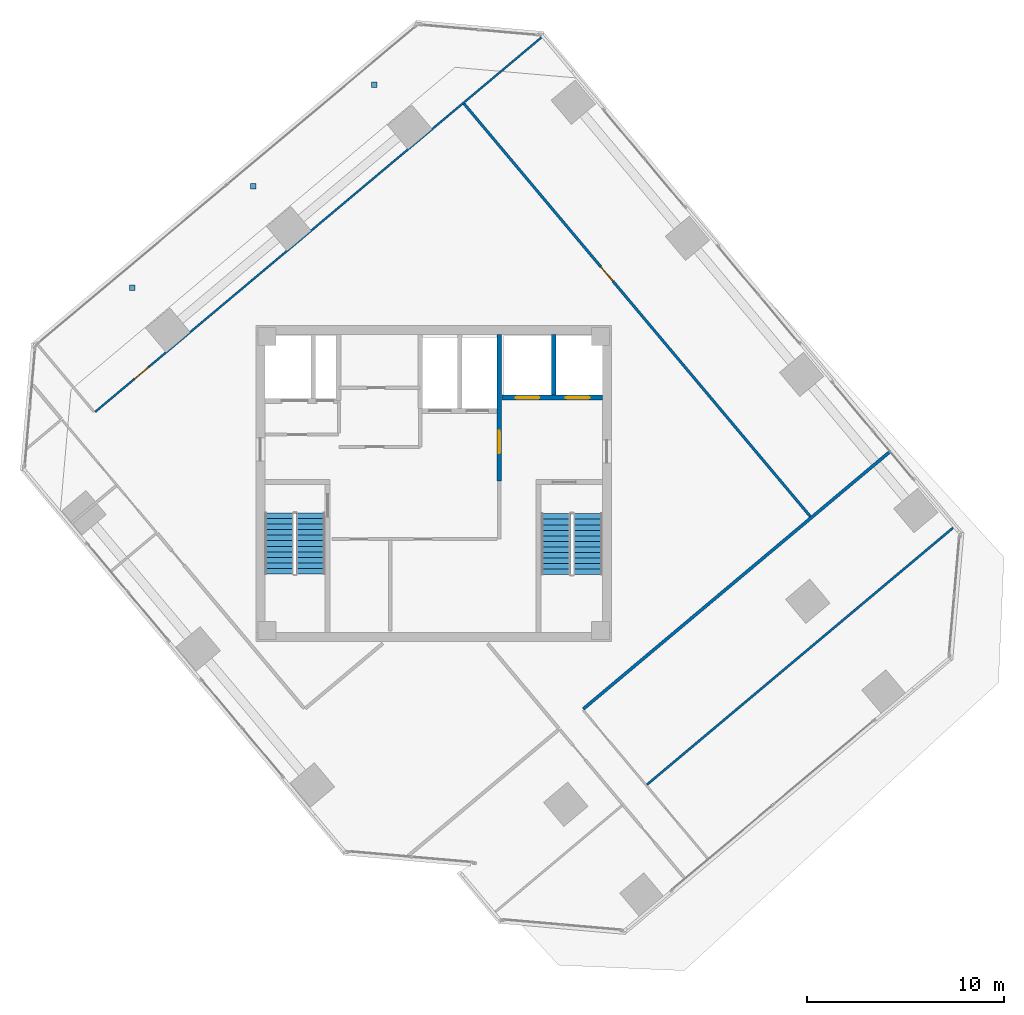
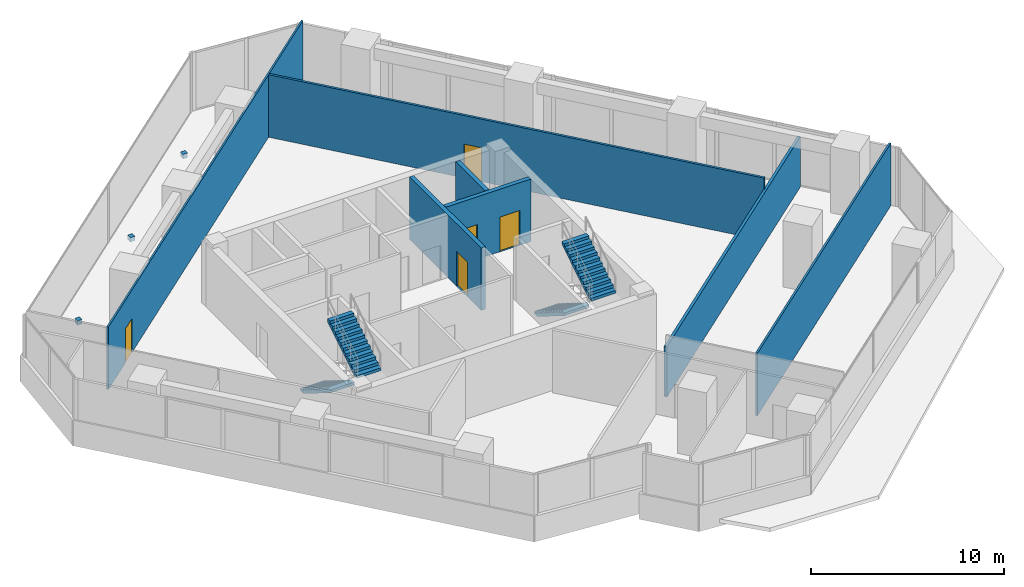
# One storey, part 14 of 17: 7 walls, 5 doors, 4 stair flights, 3 discrete accessories, 5 openings, 2 elements without a shape of their own.
"""IFC4 building model written with IfcOpenShell, lengths in metres."""

from ifc_helpers import new_model, si_unit, direction, frame, frame_2d, origin, origin_2d, place, context, subcontext, project, spatial, polyline, rectangle, outline, extrude, source, transform, mapped, material, layer, layer_set, type_object, element, fill, aggregate, save


model = new_model("IFC4")

# Units and contexts
model_context = context("Model", 3, precision=1e-05, world=origin(), true_north=direction((0.0, 1.0)))
body_context = subcontext(model_context, "Body", "Model", "MODEL_VIEW")
ifc_project = project(units=[si_unit("LENGTHUNIT", "METRE"), si_unit("AREAUNIT", "SQUARE_METRE"), si_unit("VOLUMEUNIT", "CUBIC_METRE"), si_unit("PLANEANGLEUNIT", "RADIAN"), si_unit("MASSUNIT", "GRAM", prefix="KILO")], contexts=[model_context])

# Site, building, storey
site_placement = place(None, origin())
site = spatial("IfcSite", under=ifc_project, at=site_placement, CompositionType="ELEMENT")
building_placement = place(site_placement, origin())
building = spatial("IfcBuilding", under=site, at=building_placement, Name="Torre Montelarca", CompositionType="ELEMENT")
storey_placement = place(building_placement, frame((0.0, 0.0, 266.800048828125)))
storey = spatial("IfcBuildingStorey", under=building, at=storey_placement, Name="L60", CompositionType="ELEMENT", Elevation=266.800048828125)

# Wall, opening, door
ifc_material_1 = material(Name="Concrete C40/50", Category="concrete")
ifc_layer_1 = layer(ifc_material_1, 0.25, Name="Concrete C40/50", Category="concrete")
ifc_layer_set_1 = layer_set([ifc_layer_1], Name="Concrete C40/50")
wall_type_1 = type_object("IfcWallType", Name="CW-SHAFT-250", PredefinedType="SHEAR", material=ifc_layer_set_1)
wall_1_placement = place(storey_placement, frame((21.320068359375, 32.1201171875, 0.0), z_axis=(0.0, 0.0, 1.0), x_axis=(0.0, 1.0, 0.0)))
wall_1 = element("IfcWall", 1, at=wall_1_placement, inside=storey, type_object=wall_type_1, Name="L60 Core Shear Wall SH-FFL-W", PredefinedType="SHEAR", context=body_context, shape_type="SweptSolid", body=[
    extrude(rectangle(XDim=7.419921875, YDim=0.25, at=frame_2d((3.7099609375, 0.0))), origin(), (0.0, 0.0, 1.0), 3.9599609375),
])
opening_1_placement = place(wall_1_placement, frame((1.39990234375, 0.0, 0.0)))
opening_1 = element("IfcOpeningElement", 2, at=opening_1_placement, cuts=wall_1, Name="Opening FD-LB1", PredefinedType="OPENING", context=body_context, shape_type="SweptSolid", body=[
    extrude(rectangle(XDim=1.14990234375, YDim=2.199951171875, at=frame_2d((0.574951171875, 1.10009765625))), frame((0.0, 0.135009765625, 0.0), z_axis=(0.0, -1.0, 0.0), x_axis=(1.0, 0.0, 0.0)), (0.0, 0.0, 1.0), 0.27001953125),
])
ifc_material_2 = material(Name="Acoustic timber-veneered fire door", Category="wood")
door_type_1 = type_object("IfcDoorType", Name="DR-LOBBY-115", OperationType="NOTDEFINED", PredefinedType="DOOR", material=ifc_material_2)
shared_shape_1 = source(origin(), body_context, "Body", "SweptSolid", [
    extrude(rectangle(XDim=1.14990234375, YDim=2.199951171875, at=frame_2d((0.574951171875, 1.10009765625))), frame((0.0, 0.02490234375, 0.0), z_axis=(0.0, -1.0, 0.0), x_axis=(1.0, 0.0, 0.0)), (0.0, 0.0, 1.0), 0.050048828125),
])
door_1_placement = place(opening_1_placement, origin())
door_1 = element("IfcDoor", 3, at=door_1_placement, inside=storey, type_object=door_type_1, Name="L60 Lift Lobby to Firefighting Lobby Smoke Door", OperationType="SINGLE_SWING_LEFT", OverallHeight=2.199951171875, OverallWidth=1.14990234375, PredefinedType="DOOR", context=body_context, shape_type="MappedRepresentation", body=[
    mapped(shared_shape_1, transform((0.0, 0.0, 0.0), scale=1.0)),
])
fill(opening_1, door_1)

# Wall, openings, doors
wall_2_placement = place(storey_placement, frame((21.449951171875, 36.35009765625, 0.0), z_axis=(0.0, 0.0, 1.0), x_axis=(1.0, 0.0, 0.0)))
wall_2 = element("IfcWall", 4, at=wall_2_placement, inside=storey, type_object=wall_type_1, Name="L60 Core Shear Wall SH-FF-S", PredefinedType="SHEAR", context=body_context, shape_type="SweptSolid", body=[
    extrude(rectangle(XDim=5.090087890625, YDim=0.25, at=frame_2d((2.544921875, 0.0))), origin(), (0.0, 0.0, 1.0), 3.9599609375),
])
opening_2_placement = place(wall_2_placement, frame((0.699951171875, 0.0, 0.0)))
opening_2 = element("IfcOpeningElement", 5, at=opening_2_placement, cuts=wall_2, Name="Opening LD-120", PredefinedType="OPENING", context=body_context, shape_type="SweptSolid", body=[
    extrude(rectangle(XDim=1.199951171875, YDim=2.199951171875, at=frame_2d((0.60009765625, 1.10009765625))), frame((0.0, 0.135009765625, 0.0), z_axis=(0.0, -1.0, 0.0), x_axis=(1.0, 0.0, 0.0)), (0.0, 0.0, 1.0), 0.27001953125),
])
opening_3_placement = place(wall_2_placement, frame((3.25, 0.0, 0.0)))
opening_3 = element("IfcOpeningElement", 6, at=opening_3_placement, cuts=wall_2, Name="Opening LD-120", PredefinedType="OPENING", context=body_context, shape_type="SweptSolid", body=[
    extrude(rectangle(XDim=1.199951171875, YDim=2.199951171875, at=frame_2d((0.60009765625, 1.10009765625))), frame((0.0, 0.135009765625, 0.0), z_axis=(0.0, -1.0, 0.0), x_axis=(1.0, 0.0, 0.0)), (0.0, 0.0, 1.0), 0.27001953125),
])
ifc_material_3 = material(Name="Brushed stainless steel AISI 316", Category="steel")
door_type_2 = type_object("IfcDoorType", Name="DR-LIFT-120", OperationType="SLIDING_TO_RIGHT", PredefinedType="DOOR", material=ifc_material_3)
shared_shape_2 = source(origin(), body_context, "Body", "SweptSolid", [
    extrude(rectangle(XDim=1.199951171875, YDim=2.199951171875, at=frame_2d((0.60009765625, 1.10009765625))), frame((0.0, 0.02490234375, 0.0), z_axis=(0.0, -1.0, 0.0), x_axis=(1.0, 0.0, 0.0)), (0.0, 0.0, 1.0), 0.050048828125),
])
door_2_placement = place(opening_2_placement, origin())
door_2 = element("IfcDoor", 7, at=door_2_placement, inside=storey, type_object=door_type_2, Name="L60 Lift Landing Sliding Door FF-1", OperationType="SLIDING_TO_LEFT", OverallHeight=2.199951171875, OverallWidth=1.199951171875, PredefinedType="DOOR", context=body_context, shape_type="MappedRepresentation", body=[
    mapped(shared_shape_2, transform((0.0, 0.0, 0.0), scale=1.0)),
])
fill(opening_2, door_2)
door_3_placement = place(opening_3_placement, origin())
door_3 = element("IfcDoor", 8, at=door_3_placement, inside=storey, type_object=door_type_2, Name="L60 Lift Landing Sliding Door FF-2", OperationType="SLIDING_TO_RIGHT", OverallHeight=2.199951171875, OverallWidth=1.199951171875, PredefinedType="DOOR", context=body_context, shape_type="MappedRepresentation", body=[
    mapped(shared_shape_2, transform((0.0, 0.0, 0.0), scale=1.0)),
])
fill(opening_3, door_3)

# Walls
wall_3_placement = place(storey_placement, frame((24.080078125, 36.47998046875, 0.0), z_axis=(0.0, 0.0, 1.0), x_axis=(0.0, 1.0, 0.0)))
element("IfcWall", 9, at=wall_3_placement, inside=storey, type_object=wall_type_1, Name="L60 Core Shear Wall SH-FF-M", PredefinedType="SHEAR", context=body_context, shape_type="SweptSolid", body=[
    extrude(rectangle(XDim=3.06005859375, YDim=0.25, at=frame_2d((1.530029296875, 0.0))), origin(), (0.0, 0.0, 1.0), 3.9599609375),
])
ifc_material_4 = material(Name="Gypsum plasterboard on steel stud", Category="steel")
ifc_layer_2 = layer(ifc_material_4, 0.159912109375, Name="Gypsum plasterboard on steel stud", Category="steel")
ifc_layer_set_2 = layer_set([ifc_layer_2], Name="Gypsum plasterboard on steel stud")
wall_type_2 = type_object("IfcWallType", Name="PW-FIRE-160", PredefinedType="PARTITIONING", material=ifc_layer_set_2)
wall_4_placement = place(storey_placement, frame((25.57568359375, 20.577392578125, 0.0), z_axis=(0.0, 0.0, 1.0), x_axis=(0.76604764673, 0.642783791752, 0.0)))
element("IfcWall", 10, at=wall_4_placement, inside=storey, type_object=wall_type_2, Name="L60 Interior Partition W-L60-ECN", PredefinedType="PARTITIONING", context=body_context, shape_type="SweptSolid", body=[
    extrude(rectangle(XDim=20.239990234375, YDim=0.159912109375, at=frame_2d((10.1201171875, 0.0))), origin(), (0.0, 0.0, 1.0), 3.195068359375),
])

# Wall, opening, door
ifc_material_5 = material(Name="Acoustic laminated glass partition", Category="glass")
ifc_layer_3 = layer(ifc_material_5, 0.10009765625, Name="Acoustic laminated glass partition", Category="glass")
ifc_layer_set_3 = layer_set([ifc_layer_3], Name="Acoustic laminated glass partition")
wall_type_3 = type_object("IfcWallType", Name="PW-GLAZ-100", PredefinedType="PARTITIONING", material=ifc_layer_set_3)
wall_5_placement = place(storey_placement, frame((0.849365234375, 35.623779296875, 0.0), z_axis=(0.0, 0.0, 1.0), x_axis=(0.766042777978, 0.642789594119, 0.0)))
wall_5 = element("IfcWall", 11, at=wall_5_placement, inside=storey, type_object=wall_type_3, Name="L60 Interior Partition W-L60-WWGE", PredefinedType="PARTITIONING", context=body_context, shape_type="SweptSolid", body=[
    extrude(rectangle(XDim=29.510009765625, YDim=0.10009765625, at=frame_2d((14.7548828125, 0.0))), origin(), (0.0, 0.0, 1.0), 3.9599609375),
])
opening_4_placement = place(wall_5_placement, frame((2.60009765625, 0.0, 0.0)))
opening_4 = element("IfcOpeningElement", 12, at=opening_4_placement, cuts=wall_5, Name="Opening ID-095", PredefinedType="OPENING", context=body_context, shape_type="SweptSolid", body=[
    extrude(rectangle(XDim=0.949951171875, YDim=2.14990234375, at=frame_2d((0.47509765625, 1.074951171875))), frame((0.0, 0.06005859375, 0.0), z_axis=(0.0, -1.0, 0.0), x_axis=(1.0, 0.0, 0.0)), (0.0, 0.0, 1.0), 0.1201171875),
])
ifc_material_6 = material(Name="Hardwood acoustic timber veneer", Category="wood")
door_type_3 = type_object("IfcDoorType", Name="DR-INT-095", OperationType="NOTDEFINED", PredefinedType="DOOR", material=ifc_material_6)
shared_shape_3 = source(origin(), body_context, "Body", "SweptSolid", [
    extrude(rectangle(XDim=0.949951171875, YDim=2.14990234375, at=frame_2d((0.47509765625, 1.074951171875))), frame((0.0, 0.02490234375, 0.0), z_axis=(0.0, -1.0, 0.0), x_axis=(1.0, 0.0, 0.0)), (0.0, 0.0, 1.0), 0.050048828125),
])
door_4_placement = place(opening_4_placement, origin())
door_4 = element("IfcDoor", 13, at=door_4_placement, inside=storey, type_object=door_type_3, Name="L60 Interior Door 10", OperationType="SINGLE_SWING_LEFT", OverallHeight=2.14990234375, OverallWidth=0.949951171875, PredefinedType="DOOR", context=body_context, shape_type="MappedRepresentation", body=[
    mapped(shared_shape_3, transform((0.0, 0.0, 0.0), scale=1.0)),
])
fill(opening_4, door_4)

# Wall
ifc_layer_4 = layer(ifc_material_4, 0.114990234375, Name="Gypsum plasterboard on steel stud", Category="steel")
ifc_layer_set_4 = layer_set([ifc_layer_4], Name="Gypsum plasterboard on steel stud")
wall_type_4 = type_object("IfcWallType", Name="PW-PART-115", PredefinedType="PARTITIONING", material=ifc_layer_set_4)
wall_6_placement = place(storey_placement, frame((28.796142578125, 16.739501953125, 0.0), z_axis=(0.0, 0.0, 1.0), x_axis=(0.766036723368, 0.642796809616, 0.0)))
element("IfcWall", 14, at=wall_6_placement, inside=storey, type_object=wall_type_4, Name="L60 Interior Partition W-L60-NEDIV-1", PredefinedType="PARTITIONING", context=body_context, shape_type="SweptSolid", body=[
    extrude(rectangle(XDim=20.239990234375, YDim=0.114990234375, at=frame_2d((10.1201171875, 0.0))), origin(), (0.0, 0.0, 1.0), 3.9599609375),
])

# Wall, opening, door
ifc_layer_5 = layer(ifc_material_4, 0.135009765625, Name="Gypsum plasterboard on steel stud", Category="steel")
ifc_layer_set_5 = layer_set([ifc_layer_5], Name="Gypsum plasterboard on steel stud")
wall_type_5 = type_object("IfcWallType", Name="PW-PART-135", PredefinedType="PARTITIONING", material=ifc_layer_set_5)
wall_7_placement = place(storey_placement, frame((19.5283203125, 51.2451171875, 0.0), z_axis=(0.0, 0.0, 1.0), x_axis=(0.642782364439, -0.766048844374, 0.0)))
wall_7 = element("IfcWall", 15, at=wall_7_placement, inside=storey, type_object=wall_type_5, Name="L60 Interior Partition W-L60-NBOT", PredefinedType="PARTITIONING", context=body_context, shape_type="SweptSolid", body=[
    extrude(rectangle(XDim=27.340087890625, YDim=0.135009765625, at=frame_2d((13.669921875, 0.0))), origin(), (0.0, 0.0, 1.0), 3.9599609375),
])
opening_5_placement = place(wall_7_placement, frame((10.800048828125, 0.0, 0.0)))
opening_5 = element("IfcOpeningElement", 16, at=opening_5_placement, cuts=wall_7, Name="Opening ID-095", PredefinedType="OPENING", context=body_context, shape_type="SweptSolid", body=[
    extrude(rectangle(XDim=0.949951171875, YDim=2.14990234375, at=frame_2d((0.47509765625, 1.074951171875))), frame((0.0, 0.07763671875, 0.0), z_axis=(0.0, -1.0, 0.0), x_axis=(1.0, 0.0, 0.0)), (0.0, 0.0, 1.0), 0.155029296875),
])
door_5_placement = place(opening_5_placement, origin())
door_5 = element("IfcDoor", 17, at=door_5_placement, inside=storey, type_object=door_type_3, Name="L60 Interior Door 09", OperationType="SINGLE_SWING_LEFT", OverallHeight=2.14990234375, OverallWidth=0.949951171875, PredefinedType="DOOR", context=body_context, shape_type="MappedRepresentation", body=[
    mapped(shared_shape_3, transform((0.0, 0.0, 0.0), scale=1.0)),
])
fill(opening_5, door_5)

# Stair, stair flights
stair_type_1 = type_object("IfcStairType", Name="ST-CORE-ST1", PredefinedType="HALF_TURN_STAIR", material=ifc_material_1)
stair_1_placement = place(storey_placement, origin())
stair_1 = element("IfcStair", 18, at=stair_1_placement, inside=storey, type_object=stair_type_1, Name="L60 Protected Exit Stair ST1", PredefinedType="HALF_TURN_STAIR")
stair_flight_type_1 = type_object("IfcStairFlightType", Name="SFL-CORE-ST1", PredefinedType="STRAIGHT", material=ifc_material_1)
stair_flight_1_placement = place(storey_placement, frame((10.175048828125, 30.5, 0.0), z_axis=(0.0, 0.0, 1.0), x_axis=(0.0, -1.0, 0.0)))
stair_flight_1 = element("IfcStairFlight", 19, at=stair_flight_1_placement, type_object=stair_flight_type_1, Name="ST1 flight 1", NumberOfRisers=12, NumberOfTreads=11, PredefinedType="STRAIGHT", RiserHeight=0.175, TreadLength=0.28, context=body_context, shape_type="SweptSolid", body=[
    extrude(outline(polyline([(0.0, 0.0), (0.0, 0.175048828125), (0.280029296875, 0.175048828125), (0.280029296875, 0.35009765625), (0.56005859375, 0.35009765625), (0.56005859375, 0.52490234375), (0.840087890625, 0.52490234375), (0.840087890625, 0.699951171875), (1.1201171875, 0.699951171875), (1.1201171875, 0.875), (1.39990234375, 0.875), (1.39990234375, 1.050048828125), (1.679931640625, 1.050048828125), (1.679931640625, 1.22509765625), (1.9599609375, 1.22509765625), (1.9599609375, 1.39990234375), (2.239990234375, 1.39990234375), (2.239990234375, 1.574951171875), (2.52001953125, 1.574951171875), (2.52001953125, 1.75), (2.800048828125, 1.75), (2.800048828125, 1.925048828125), (3.080078125, 1.925048828125), (3.080078125, 2.10009765625), (3.080078125, 1.748291015625), (0.28271484375, 0.0), (0.0, 0.0)])), frame((0.0, 0.72509765625, 0.0), z_axis=(0.0, -1.0, 0.0), x_axis=(1.0, 0.0, 0.0)), (0.0, 0.0, 1.0), 1.449951171875),
])
stair_flight_2_placement = place(storey_placement, frame((11.77490234375, 27.419921875, 2.099853515625), z_axis=(0.0, 0.0, 1.0), x_axis=(0.0, 1.0, 0.0)))
stair_flight_2 = element("IfcStairFlight", 20, at=stair_flight_2_placement, type_object=stair_flight_type_1, Name="ST1 flight 2", NumberOfRisers=12, NumberOfTreads=11, PredefinedType="STRAIGHT", RiserHeight=0.175, TreadLength=0.28, context=body_context, shape_type="SweptSolid", body=[
    extrude(outline(polyline([(0.0, 0.0), (0.0, 0.175048828125), (0.280029296875, 0.175048828125), (0.280029296875, 0.35009765625), (0.56005859375, 0.35009765625), (0.56005859375, 0.52490234375), (0.840087890625, 0.52490234375), (0.840087890625, 0.699951171875), (1.1201171875, 0.699951171875), (1.1201171875, 0.875), (1.39990234375, 0.875), (1.39990234375, 1.050048828125), (1.679931640625, 1.050048828125), (1.679931640625, 1.22509765625), (1.9599609375, 1.22509765625), (1.9599609375, 1.39990234375), (2.239990234375, 1.39990234375), (2.239990234375, 1.574951171875), (2.52001953125, 1.574951171875), (2.52001953125, 1.75), (2.800048828125, 1.75), (2.800048828125, 1.925048828125), (3.080078125, 1.925048828125), (3.080078125, 2.10009765625), (3.080078125, 1.748291015625), (0.28271484375, 0.0), (0.0, 0.0)])), frame((0.0, 0.72509765625, 0.0), z_axis=(0.0, -1.0, 0.0), x_axis=(1.0, 0.0, 0.0)), (0.0, 0.0, 1.0), 1.449951171875),
])
aggregate(stair_1, [stair_flight_1, stair_flight_2])

stair_type_2 = type_object("IfcStairType", Name="ST-CORE-ST2", PredefinedType="HALF_TURN_STAIR", material=ifc_material_1)
stair_2_placement = place(storey_placement, origin())
stair_2 = element("IfcStair", 21, at=stair_2_placement, inside=storey, type_object=stair_type_2, Name="L60 Protected Exit Stair ST2", PredefinedType="HALF_TURN_STAIR")
stair_flight_type_2 = type_object("IfcStairFlightType", Name="SFL-CORE-ST2", PredefinedType="STRAIGHT", material=ifc_material_1)
stair_flight_3_placement = place(storey_placement, frame((24.179931640625, 30.469970703125, 0.0), z_axis=(0.0, 0.0, 1.0), x_axis=(0.0, -1.0, 0.0)))
stair_flight_3 = element("IfcStairFlight", 22, at=stair_flight_3_placement, type_object=stair_flight_type_2, Name="ST2 flight 1", NumberOfRisers=12, NumberOfTreads=11, PredefinedType="STRAIGHT", RiserHeight=0.175, TreadLength=0.28, context=body_context, shape_type="SweptSolid", body=[
    extrude(outline(polyline([(0.0, 0.0), (0.0, 0.175048828125), (0.280029296875, 0.175048828125), (0.280029296875, 0.35009765625), (0.56005859375, 0.35009765625), (0.56005859375, 0.52490234375), (0.840087890625, 0.52490234375), (0.840087890625, 0.699951171875), (1.1201171875, 0.699951171875), (1.1201171875, 0.875), (1.39990234375, 0.875), (1.39990234375, 1.050048828125), (1.679931640625, 1.050048828125), (1.679931640625, 1.22509765625), (1.9599609375, 1.22509765625), (1.9599609375, 1.39990234375), (2.239990234375, 1.39990234375), (2.239990234375, 1.574951171875), (2.52001953125, 1.574951171875), (2.52001953125, 1.75), (2.800048828125, 1.75), (2.800048828125, 1.925048828125), (3.080078125, 1.925048828125), (3.080078125, 2.10009765625), (3.080078125, 1.748291015625), (0.28271484375, 0.0), (0.0, 0.0)])), frame((0.0, 0.739990234375, 0.0), z_axis=(0.0, -1.0, 0.0), x_axis=(1.0, 0.0, 0.0)), (0.0, 0.0, 1.0), 1.47998046875),
])
stair_flight_4_placement = place(storey_placement, frame((25.81005859375, 27.389892578125, 2.099853515625), z_axis=(0.0, 0.0, 1.0), x_axis=(0.0, 1.0, 0.0)))
stair_flight_4 = element("IfcStairFlight", 23, at=stair_flight_4_placement, type_object=stair_flight_type_2, Name="ST2 flight 2", NumberOfRisers=12, NumberOfTreads=11, PredefinedType="STRAIGHT", RiserHeight=0.175, TreadLength=0.28, context=body_context, shape_type="SweptSolid", body=[
    extrude(outline(polyline([(0.0, 0.0), (0.0, 0.175048828125), (0.280029296875, 0.175048828125), (0.280029296875, 0.35009765625), (0.56005859375, 0.35009765625), (0.56005859375, 0.52490234375), (0.840087890625, 0.52490234375), (0.840087890625, 0.699951171875), (1.1201171875, 0.699951171875), (1.1201171875, 0.875), (1.39990234375, 0.875), (1.39990234375, 1.050048828125), (1.679931640625, 1.050048828125), (1.679931640625, 1.22509765625), (1.9599609375, 1.22509765625), (1.9599609375, 1.39990234375), (2.239990234375, 1.39990234375), (2.239990234375, 1.574951171875), (2.52001953125, 1.574951171875), (2.52001953125, 1.75), (2.800048828125, 1.75), (2.800048828125, 1.925048828125), (3.080078125, 1.925048828125), (3.080078125, 2.10009765625), (3.080078125, 1.748291015625), (0.28271484375, 0.0), (0.0, 0.0)])), frame((0.0, 0.739990234375, 0.0), z_axis=(0.0, -1.0, 0.0), x_axis=(1.0, 0.0, 0.0)), (0.0, 0.0, 1.0), 1.47998046875),
])
aggregate(stair_2, [stair_flight_3, stair_flight_4])

# Discrete accessories
ifc_material_7 = material(Name="Stainless steel AISI 316", Category="steel")
discrete_accessory_type = type_object("IfcDiscreteAccessoryType", Name="ACC-BRACKET-SS", PredefinedType="BRACKET", material=ifc_material_7)
shared_shape_4 = source(origin(), body_context, "Body", "SweptSolid", [
    extrude(rectangle(XDim=0.280029296875, YDim=0.280029296875, at=origin_2d()), origin(), (0.0, 0.0, 1.0), 0.280029296875),
])
for number, where, z_axis, x_axis, name in (
    (24, (2.740966796875, 41.910400390625, -0.2802734375), (0.0, 0.0, 1.0), (1.0, 0.0, 0.0), "L60 Raker End Connection Bracket W1-HD"),
    (25, (8.869140625, 47.052734375, -0.2802734375), (0.0, 0.0, 1.0), (1.0, 0.0, 0.0), "L60 Raker End Connection Bracket W2-HD"),
    (26, (14.99755859375, 52.195068359375, -0.2802734375), (0.0, 0.0, 1.0), (1.0, 0.0, 0.0), "L60 Raker End Connection Bracket W3-HD"),
):
    element("IfcDiscreteAccessory", number, at=place(storey_placement, frame(where, z_axis=z_axis, x_axis=x_axis)), inside=storey, type_object=discrete_accessory_type, Name=name, PredefinedType="BRACKET", context=body_context, shape_type="MappedRepresentation", body=[
        mapped(shared_shape_4, transform((0.0, 0.0, 0.0), scale=1.0)),
    ])

save(model, "model.ifc")
